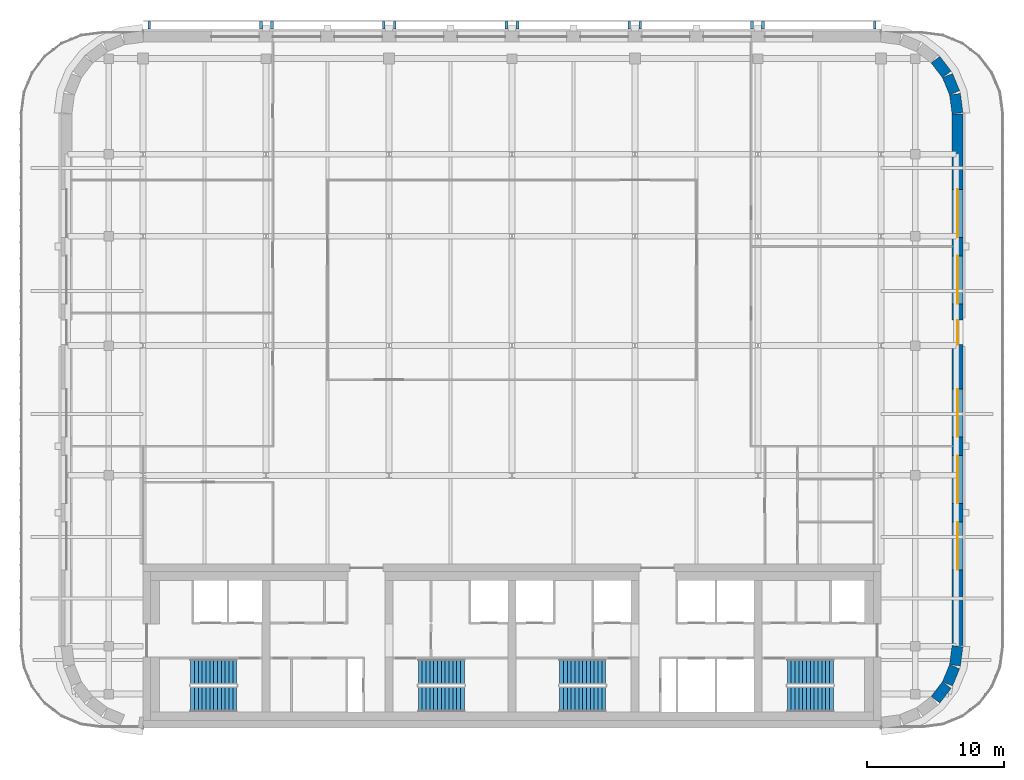
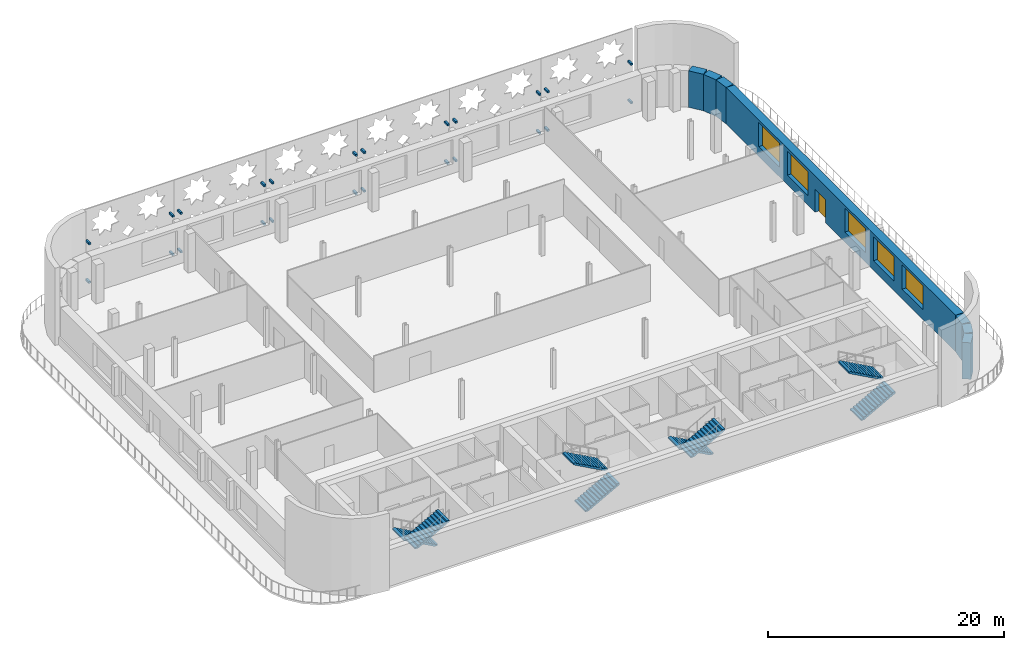
# One storey, part 11 of 15: 24 discrete accessories, 8 stair flights, 7 walls, 5 windows, 1 door, 6 openings, 4 elements without a shape of their own.
"""IFC4 building model written with IfcOpenShell, lengths in metres."""

from ifc_helpers import new_model, si_unit, direction, frame, frame_2d, origin, origin_2d, place, context, subcontext, project, spatial, polyline, rectangle, outline, extrude, material, layer, layer_set, type_object, element, fill, aggregate, save


model = new_model("IFC4")

# Units and contexts
model_context = context("Model", 3, precision=1e-05, world=origin(), true_north=direction((0.0, 1.0)))
body_context = subcontext(model_context, "Body", "Model", "MODEL_VIEW")
ifc_project = project(units=[si_unit("LENGTHUNIT", "METRE"), si_unit("AREAUNIT", "SQUARE_METRE"), si_unit("VOLUMEUNIT", "CUBIC_METRE"), si_unit("PLANEANGLEUNIT", "RADIAN"), si_unit("MASSUNIT", "GRAM", prefix="KILO")], contexts=[model_context])

# Site, building, storey
site_placement = place(None, origin())
site = spatial("IfcSite", under=ifc_project, at=site_placement, CompositionType="ELEMENT")
building_placement = place(site_placement, origin())
building = spatial("IfcBuilding", under=site, at=building_placement, Name="Zellij Exchange Tower", CompositionType="ELEMENT")
storey_placement = place(building_placement, frame((0.0, 0.0, 284.5)))
storey = spatial("IfcBuildingStorey", under=building, at=storey_placement, Name="L67", CompositionType="ELEMENT", Elevation=284.5)

# Walls
ifc_material_1 = material(Name="Precast concrete C40/50", Category="concrete")
ifc_layer = layer(ifc_material_1, 0.800048828125)
ifc_layer_set = layer_set([ifc_layer], Name="Precast concrete C40/50")
wall_type = type_object("IfcWallType", Name="ENV-EW1 Precast stone-piered wall 800", PredefinedType="SOLIDWALL", material=ifc_layer_set)
wall_1_placement = place(storey_placement, frame((30.9892578125, -11.91552734375, 0.0), z_axis=(0.0, 0.0, 1.0), x_axis=(0.608866226366, 0.793272915452, 0.0)))
element("IfcWall", 1, at=wall_1_placement, inside=storey, type_object=wall_type, Name="fac.L67.04", PredefinedType="SOLIDWALL", context=body_context, shape_type="SweptSolid", body=[
    extrude(rectangle(XDim=1.355712890625, YDim=0.800048828125, at=frame_2d((0.677734375, 0.0))), origin(), (0.0, 0.0, 1.0), 3.780029296875),
])
wall_2_placement = place(storey_placement, frame((31.866943359375, -10.74951171875, 0.0), z_axis=(0.0, 0.0, 1.0), x_axis=(0.38276009378, 0.923847774587, 0.0)))
element("IfcWall", 2, at=wall_2_placement, inside=storey, type_object=wall_type, Name="fac.L67.05", PredefinedType="SOLIDWALL", context=body_context, shape_type="SweptSolid", body=[
    extrude(rectangle(XDim=1.35546875, YDim=0.800048828125, at=frame_2d((0.677734375, 0.0))), origin(), (0.0, 0.0, 1.0), 3.780029296875),
])
wall_3_placement = place(storey_placement, frame((32.412841796875, -9.396240234375, 0.0), z_axis=(0.0, 0.0, 1.0), x_axis=(0.130517283865, 0.99144603414, 0.0)))
element("IfcWall", 3, at=wall_3_placement, inside=storey, type_object=wall_type, Name="fac.L67.06", PredefinedType="SOLIDWALL", context=body_context, shape_type="SweptSolid", body=[
    extrude(rectangle(XDim=1.408447265625, YDim=0.800048828125, at=frame_2d((0.7041015625, 0.0))), origin(), (0.0, 0.0, 1.0), 3.780029296875),
])

# Wall, openings, door, windows
wall_4_placement = place(storey_placement, frame((32.60009765625, -7.947509765625, 0.0), z_axis=(0.0, 0.0, 1.0), x_axis=(0.0, 1.0, 0.0)))
wall_4 = element("IfcWall", 4, at=wall_4_placement, inside=storey, type_object=wall_type, Name="fac.L67.07", PredefinedType="SOLIDWALL", context=body_context, shape_type="SweptSolid", body=[
    extrude(rectangle(XDim=38.89501953125, YDim=0.800048828125, at=frame_2d((19.447509765625, 0.0))), origin(), (0.0, 0.0, 1.0), 3.780029296875),
])
opening_1_placement = place(wall_4_placement, frame((5.5263671875, 0.0, 1.0)))
opening_1 = element("IfcOpeningElement", 5, at=opening_1_placement, cuts=wall_4, Name="Opening FC2.01", PredefinedType="OPENING", context=body_context, shape_type="SweptSolid", body=[
    extrude(rectangle(XDim=3.5, YDim=2.5, at=frame_2d((1.75, 1.25))), frame((0.0, 0.412109375, 0.0), z_axis=(0.0, -1.0, 0.0), x_axis=(1.0, 0.0, 0.0)), (0.0, 0.0, 1.0), 0.823974609375),
])
opening_2_placement = place(wall_4_placement, frame((10.39501953125, 0.0, 1.0)))
opening_2 = element("IfcOpeningElement", 6, at=opening_2_placement, cuts=wall_4, Name="Opening FC2.02", PredefinedType="OPENING", context=body_context, shape_type="SweptSolid", body=[
    extrude(rectangle(XDim=3.5, YDim=2.5, at=frame_2d((1.75, 1.25))), frame((0.0, 0.412109375, 0.0), z_axis=(0.0, -1.0, 0.0), x_axis=(1.0, 0.0, 0.0)), (0.0, 0.0, 1.0), 0.823974609375),
])
opening_3_placement = place(wall_4_placement, frame((15.26318359375, 0.0, 1.0)))
opening_3 = element("IfcOpeningElement", 7, at=opening_3_placement, cuts=wall_4, Name="Opening FC2.03", PredefinedType="OPENING", context=body_context, shape_type="SweptSolid", body=[
    extrude(rectangle(XDim=3.5, YDim=2.5, at=frame_2d((1.75, 1.25))), frame((0.0, 0.412109375, 0.0), z_axis=(0.0, -1.0, 0.0), x_axis=(1.0, 0.0, 0.0)), (0.0, 0.0, 1.0), 0.823974609375),
])
opening_4_placement = place(wall_4_placement, frame((25.000244140625, 0.0, 1.0)))
opening_4 = element("IfcOpeningElement", 8, at=opening_4_placement, cuts=wall_4, Name="Opening FC2.04", PredefinedType="OPENING", context=body_context, shape_type="SweptSolid", body=[
    extrude(rectangle(XDim=3.5, YDim=2.5, at=frame_2d((1.75, 1.25))), frame((0.0, 0.412109375, 0.0), z_axis=(0.0, -1.0, 0.0), x_axis=(1.0, 0.0, 0.0)), (0.0, 0.0, 1.0), 0.823974609375),
])
opening_5_placement = place(wall_4_placement, frame((29.86865234375, 0.0, 1.0)))
opening_5 = element("IfcOpeningElement", 9, at=opening_5_placement, cuts=wall_4, Name="Opening FC2.05", PredefinedType="OPENING", context=body_context, shape_type="SweptSolid", body=[
    extrude(rectangle(XDim=3.5, YDim=2.5, at=frame_2d((1.75, 1.25))), frame((0.0, 0.412109375, 0.0), z_axis=(0.0, -1.0, 0.0), x_axis=(1.0, 0.0, 0.0)), (0.0, 0.0, 1.0), 0.823974609375),
])
opening_6_placement = place(wall_4_placement, frame((22.01611328125, 0.0, 0.0)))
opening_6 = element("IfcOpeningElement", 10, at=opening_6_placement, cuts=wall_4, Name="Opening FC2.21", PredefinedType="OPENING", context=body_context, shape_type="SweptSolid", body=[
    extrude(rectangle(XDim=1.800048828125, YDim=2.39990234375, at=frame_2d((0.89990234375, 1.199951171875))), frame((0.0, 0.412109375, 0.0), z_axis=(0.0, -1.0, 0.0), x_axis=(1.0, 0.0, 0.0)), (0.0, 0.0, 1.0), 0.823974609375),
])
ifc_material_2 = material(Name="Aluminium and glass terrace door", Category="aluminium")
door_type = type_object("IfcDoorType", Name="ENV-ED5 Terrace door 1800x2400", OperationType="DOUBLE_DOOR_SINGLE_SWING", PredefinedType="DOOR", material=ifc_material_2)
door_placement = place(opening_6_placement, origin())
door = element("IfcDoor", 11, at=door_placement, inside=storey, type_object=door_type, Name="Terrace door FC2.21", OperationType="DOUBLE_DOOR_SINGLE_SWING", OverallHeight=2.39990234375, OverallWidth=1.800048828125, PredefinedType="DOOR", context=body_context, shape_type="SweptSolid", body=[
    extrude(rectangle(XDim=1.800048828125, YDim=2.39990234375, at=frame_2d((0.89990234375, 1.199951171875))), frame((0.0, 0.02490234375, 0.0), z_axis=(0.0, -1.0, 0.0), x_axis=(1.0, 0.0, 0.0)), (0.0, 0.0, 1.0), 0.050048828125),
])
fill(opening_6, door)
ifc_material_3 = material(Name="Aluminium frame with insulating glass", Category="aluminium")
window_type = type_object("IfcWindowType", Name="ENV-W1 Window 3500x2500", PartitioningType="SINGLE_PANEL", PredefinedType="WINDOW", material=ifc_material_3)
window_1_placement = place(opening_1_placement, origin())
window_1 = element("IfcWindow", 12, at=window_1_placement, inside=storey, type_object=window_type, Name="Window FC2.01", OverallHeight=2.5, OverallWidth=3.5, PartitioningType="SINGLE_PANEL", PredefinedType="WINDOW", context=body_context, shape_type="SweptSolid", body=[
    extrude(rectangle(XDim=3.5, YDim=2.5, at=frame_2d((1.75, 1.25))), frame((0.0, 0.030029296875, 0.0), z_axis=(0.0, -1.0, 0.0), x_axis=(1.0, 0.0, 0.0)), (0.0, 0.0, 1.0), 0.06005859375),
])
fill(opening_1, window_1)
window_2_placement = place(opening_2_placement, origin())
window_2 = element("IfcWindow", 13, at=window_2_placement, inside=storey, type_object=window_type, Name="Window FC2.02", OverallHeight=2.5, OverallWidth=3.5, PartitioningType="SINGLE_PANEL", PredefinedType="WINDOW", context=body_context, shape_type="SweptSolid", body=[
    extrude(rectangle(XDim=3.5, YDim=2.5, at=frame_2d((1.75, 1.25))), frame((0.0, 0.030029296875, 0.0), z_axis=(0.0, -1.0, 0.0), x_axis=(1.0, 0.0, 0.0)), (0.0, 0.0, 1.0), 0.06005859375),
])
fill(opening_2, window_2)
window_3_placement = place(opening_3_placement, origin())
window_3 = element("IfcWindow", 14, at=window_3_placement, inside=storey, type_object=window_type, Name="Window FC2.03", OverallHeight=2.5, OverallWidth=3.5, PartitioningType="SINGLE_PANEL", PredefinedType="WINDOW", context=body_context, shape_type="SweptSolid", body=[
    extrude(rectangle(XDim=3.5, YDim=2.5, at=frame_2d((1.75, 1.25))), frame((0.0, 0.030029296875, 0.0), z_axis=(0.0, -1.0, 0.0), x_axis=(1.0, 0.0, 0.0)), (0.0, 0.0, 1.0), 0.06005859375),
])
fill(opening_3, window_3)
window_4_placement = place(opening_4_placement, origin())
window_4 = element("IfcWindow", 15, at=window_4_placement, inside=storey, type_object=window_type, Name="Window FC2.04", OverallHeight=2.5, OverallWidth=3.5, PartitioningType="SINGLE_PANEL", PredefinedType="WINDOW", context=body_context, shape_type="SweptSolid", body=[
    extrude(rectangle(XDim=3.5, YDim=2.5, at=frame_2d((1.75, 1.25))), frame((0.0, 0.030029296875, 0.0), z_axis=(0.0, -1.0, 0.0), x_axis=(1.0, 0.0, 0.0)), (0.0, 0.0, 1.0), 0.06005859375),
])
fill(opening_4, window_4)
window_5_placement = place(opening_5_placement, origin())
window_5 = element("IfcWindow", 16, at=window_5_placement, inside=storey, type_object=window_type, Name="Window FC2.05", OverallHeight=2.5, OverallWidth=3.5, PartitioningType="SINGLE_PANEL", PredefinedType="WINDOW", context=body_context, shape_type="SweptSolid", body=[
    extrude(rectangle(XDim=3.5, YDim=2.5, at=frame_2d((1.75, 1.25))), frame((0.0, 0.030029296875, 0.0), z_axis=(0.0, -1.0, 0.0), x_axis=(1.0, 0.0, 0.0)), (0.0, 0.0, 1.0), 0.06005859375),
])
fill(opening_5, window_5)

# Walls
wall_5_placement = place(storey_placement, frame((32.5966796875, 30.999755859375, 0.0), z_axis=(0.0, 0.0, 1.0), x_axis=(-0.130517283865, 0.99144603414, 0.0)))
element("IfcWall", 17, at=wall_5_placement, inside=storey, type_object=wall_type, Name="fac.L67.08", PredefinedType="SOLIDWALL", context=body_context, shape_type="SweptSolid", body=[
    extrude(rectangle(XDim=1.408447265625, YDim=0.800048828125, at=frame_2d((0.7041015625, 0.0))), origin(), (0.0, 0.0, 1.0), 3.780029296875),
])
wall_6_placement = place(storey_placement, frame((32.3857421875, 32.497314453125, 0.0), z_axis=(0.0, 0.0, 1.0), x_axis=(-0.38276009378, 0.923847774587, 0.0)))
element("IfcWall", 18, at=wall_6_placement, inside=storey, type_object=wall_type, Name="fac.L67.09", PredefinedType="SOLIDWALL", context=body_context, shape_type="SweptSolid", body=[
    extrude(rectangle(XDim=1.35546875, YDim=0.800048828125, at=frame_2d((0.677734375, 0.0))), origin(), (0.0, 0.0, 1.0), 3.780029296875),
])
wall_7_placement = place(storey_placement, frame((31.814697265625, 33.840087890625, 0.0), z_axis=(0.0, 0.0, 1.0), x_axis=(-0.608866226366, 0.793272915452, 0.0)))
element("IfcWall", 19, at=wall_7_placement, inside=storey, type_object=wall_type, Name="fac.L67.10", PredefinedType="SOLIDWALL", context=body_context, shape_type="SweptSolid", body=[
    extrude(rectangle(XDim=1.355712890625, YDim=0.800048828125, at=frame_2d((0.677734375, 0.0))), origin(), (0.0, 0.0, 1.0), 3.780029296875),
])

# Stair, stair flights
ifc_material_4 = material(Name="Concrete C40/50", Category="concrete")
stair_type = type_object("IfcStairType", Name="CORE-ST exit stair 1850 wide", PredefinedType="HALF_TURN_STAIR", material=ifc_material_4)
stair_1_placement = place(storey_placement, origin())
stair_1 = element("IfcStair", 20, at=stair_1_placement, inside=storey, type_object=stair_type, Name="L67 exit stair ST1", PredefinedType="HALF_TURN_STAIR")
stair_flight_type = type_object("IfcStairFlightType", Name="CORE-SF flight 1850 riser 153.8 going 280", PredefinedType="STRAIGHT", material=ifc_material_4)
stair_flight_1_placement = place(storey_placement, frame((-20.14990234375, -9.875, 0.0), z_axis=(0.0, 0.0, 1.0), x_axis=(-1.0, 0.0, 0.0)))
stair_flight_1 = element("IfcStairFlight", 21, at=stair_flight_1_placement, type_object=stair_flight_type, Name="ST1 flight 1", NumberOfRisers=13, NumberOfTreads=12, PredefinedType="STRAIGHT", RiserHeight=0.153846154, TreadLength=0.28, context=body_context, shape_type="SweptSolid", body=[
    extrude(outline(polyline([(0.0, 0.0), (0.0, 0.15380859375), (0.280029296875, 0.15380859375), (0.280029296875, 0.3076171875), (0.56005859375, 0.3076171875), (0.56005859375, 0.46142578125), (0.840087890625, 0.46142578125), (0.840087890625, 0.615478515625), (1.1201171875, 0.615478515625), (1.1201171875, 0.769287109375), (1.39990234375, 0.769287109375), (1.39990234375, 0.923095703125), (1.679931640625, 0.923095703125), (1.679931640625, 1.076904296875), (1.9599609375, 1.076904296875), (1.9599609375, 1.230712890625), (2.239990234375, 1.230712890625), (2.239990234375, 1.384521484375), (2.52001953125, 1.384521484375), (2.52001953125, 1.53857421875), (2.800048828125, 1.53857421875), (2.800048828125, 1.6923828125), (3.080078125, 1.6923828125), (3.080078125, 1.84619140625), (3.360107421875, 1.84619140625), (3.360107421875, 2.0), (3.360107421875, 1.675048828125), (0.311279296875, 0.0), (0.0, 0.0)])), frame((0.0, 0.925048828125, 0.0), z_axis=(0.0, -1.0, 0.0), x_axis=(1.0, 0.0, 0.0)), (0.0, 0.0, 1.0), 1.85009765625),
])
stair_flight_2_placement = place(storey_placement, frame((-23.510009765625, -11.875, 2.0), z_axis=(0.0, 0.0, 1.0), x_axis=(1.0, 0.0, 0.0)))
stair_flight_2 = element("IfcStairFlight", 22, at=stair_flight_2_placement, type_object=stair_flight_type, Name="ST1 flight 2", NumberOfRisers=13, NumberOfTreads=12, PredefinedType="STRAIGHT", RiserHeight=0.153846154, TreadLength=0.28, context=body_context, shape_type="SweptSolid", body=[
    extrude(outline(polyline([(0.0, 0.0), (0.0, 0.15380859375), (0.280029296875, 0.15380859375), (0.280029296875, 0.3076171875), (0.56005859375, 0.3076171875), (0.56005859375, 0.46142578125), (0.840087890625, 0.46142578125), (0.840087890625, 0.615478515625), (1.1201171875, 0.615478515625), (1.1201171875, 0.769287109375), (1.39990234375, 0.769287109375), (1.39990234375, 0.923095703125), (1.679931640625, 0.923095703125), (1.679931640625, 1.076904296875), (1.9599609375, 1.076904296875), (1.9599609375, 1.230712890625), (2.239990234375, 1.230712890625), (2.239990234375, 1.384521484375), (2.52001953125, 1.384521484375), (2.52001953125, 1.53857421875), (2.800048828125, 1.53857421875), (2.800048828125, 1.6923828125), (3.080078125, 1.6923828125), (3.080078125, 1.84619140625), (3.360107421875, 1.84619140625), (3.360107421875, 2.0), (3.360107421875, 1.675048828125), (0.311279296875, 0.0), (0.0, 0.0)])), frame((0.0, 0.925048828125, 0.0), z_axis=(0.0, -1.0, 0.0), x_axis=(1.0, 0.0, 0.0)), (0.0, 0.0, 1.0), 1.85009765625),
])
aggregate(stair_1, [stair_flight_1, stair_flight_2])

stair_2_placement = place(storey_placement, origin())
stair_2 = element("IfcStair", 23, at=stair_2_placement, inside=storey, type_object=stair_type, Name="L67 exit stair ST2", PredefinedType="HALF_TURN_STAIR")
stair_flight_3_placement = place(storey_placement, frame((-6.85009765625, -11.875, 0.0), z_axis=(0.0, 0.0, 1.0), x_axis=(1.0, 0.0, 0.0)))
stair_flight_3 = element("IfcStairFlight", 24, at=stair_flight_3_placement, type_object=stair_flight_type, Name="ST2 flight 1", NumberOfRisers=13, NumberOfTreads=12, PredefinedType="STRAIGHT", RiserHeight=0.153846154, TreadLength=0.28, context=body_context, shape_type="SweptSolid", body=[
    extrude(outline(polyline([(0.0, 0.0), (0.0, 0.15380859375), (0.280029296875, 0.15380859375), (0.280029296875, 0.3076171875), (0.56005859375, 0.3076171875), (0.56005859375, 0.46142578125), (0.840087890625, 0.46142578125), (0.840087890625, 0.615478515625), (1.1201171875, 0.615478515625), (1.1201171875, 0.769287109375), (1.39990234375, 0.769287109375), (1.39990234375, 0.923095703125), (1.679931640625, 0.923095703125), (1.679931640625, 1.076904296875), (1.9599609375, 1.076904296875), (1.9599609375, 1.230712890625), (2.239990234375, 1.230712890625), (2.239990234375, 1.384521484375), (2.52001953125, 1.384521484375), (2.52001953125, 1.53857421875), (2.800048828125, 1.53857421875), (2.800048828125, 1.6923828125), (3.080078125, 1.6923828125), (3.080078125, 1.84619140625), (3.360107421875, 1.84619140625), (3.360107421875, 2.0), (3.360107421875, 1.675048828125), (0.311279296875, 0.0), (0.0, 0.0)])), frame((0.0, 0.925048828125, 0.0), z_axis=(0.0, -1.0, 0.0), x_axis=(1.0, 0.0, 0.0)), (0.0, 0.0, 1.0), 1.85009765625),
])
stair_flight_4_placement = place(storey_placement, frame((-3.489990234375, -9.875, 2.0), z_axis=(0.0, 0.0, 1.0), x_axis=(-1.0, 0.0, 0.0)))
stair_flight_4 = element("IfcStairFlight", 25, at=stair_flight_4_placement, type_object=stair_flight_type, Name="ST2 flight 2", NumberOfRisers=13, NumberOfTreads=12, PredefinedType="STRAIGHT", RiserHeight=0.153846154, TreadLength=0.28, context=body_context, shape_type="SweptSolid", body=[
    extrude(outline(polyline([(0.0, 0.0), (0.0, 0.15380859375), (0.280029296875, 0.15380859375), (0.280029296875, 0.3076171875), (0.56005859375, 0.3076171875), (0.56005859375, 0.46142578125), (0.840087890625, 0.46142578125), (0.840087890625, 0.615478515625), (1.1201171875, 0.615478515625), (1.1201171875, 0.769287109375), (1.39990234375, 0.769287109375), (1.39990234375, 0.923095703125), (1.679931640625, 0.923095703125), (1.679931640625, 1.076904296875), (1.9599609375, 1.076904296875), (1.9599609375, 1.230712890625), (2.239990234375, 1.230712890625), (2.239990234375, 1.384521484375), (2.52001953125, 1.384521484375), (2.52001953125, 1.53857421875), (2.800048828125, 1.53857421875), (2.800048828125, 1.6923828125), (3.080078125, 1.6923828125), (3.080078125, 1.84619140625), (3.360107421875, 1.84619140625), (3.360107421875, 2.0), (3.360107421875, 1.675048828125), (0.311279296875, 0.0), (0.0, 0.0)])), frame((0.0, 0.925048828125, 0.0), z_axis=(0.0, -1.0, 0.0), x_axis=(1.0, 0.0, 0.0)), (0.0, 0.0, 1.0), 1.85009765625),
])
aggregate(stair_2, [stair_flight_3, stair_flight_4])

stair_3_placement = place(storey_placement, origin())
stair_3 = element("IfcStair", 26, at=stair_3_placement, inside=storey, type_object=stair_type, Name="L67 exit stair ST3", PredefinedType="HALF_TURN_STAIR")
stair_flight_5_placement = place(storey_placement, frame((6.85009765625, -9.875, 0.0), z_axis=(0.0, 0.0, 1.0), x_axis=(-1.0, 0.0, 0.0)))
stair_flight_5 = element("IfcStairFlight", 27, at=stair_flight_5_placement, type_object=stair_flight_type, Name="ST3 flight 1", NumberOfRisers=13, NumberOfTreads=12, PredefinedType="STRAIGHT", RiserHeight=0.153846154, TreadLength=0.28, context=body_context, shape_type="SweptSolid", body=[
    extrude(outline(polyline([(0.0, 0.0), (0.0, 0.15380859375), (0.280029296875, 0.15380859375), (0.280029296875, 0.3076171875), (0.56005859375, 0.3076171875), (0.56005859375, 0.46142578125), (0.840087890625, 0.46142578125), (0.840087890625, 0.615478515625), (1.1201171875, 0.615478515625), (1.1201171875, 0.769287109375), (1.39990234375, 0.769287109375), (1.39990234375, 0.923095703125), (1.679931640625, 0.923095703125), (1.679931640625, 1.076904296875), (1.9599609375, 1.076904296875), (1.9599609375, 1.230712890625), (2.239990234375, 1.230712890625), (2.239990234375, 1.384521484375), (2.52001953125, 1.384521484375), (2.52001953125, 1.53857421875), (2.800048828125, 1.53857421875), (2.800048828125, 1.6923828125), (3.080078125, 1.6923828125), (3.080078125, 1.84619140625), (3.360107421875, 1.84619140625), (3.360107421875, 2.0), (3.360107421875, 1.675048828125), (0.311279296875, 0.0), (0.0, 0.0)])), frame((0.0, 0.925048828125, 0.0), z_axis=(0.0, -1.0, 0.0), x_axis=(1.0, 0.0, 0.0)), (0.0, 0.0, 1.0), 1.85009765625),
])
stair_flight_6_placement = place(storey_placement, frame((3.489990234375, -11.875, 2.0), z_axis=(0.0, 0.0, 1.0), x_axis=(1.0, 0.0, 0.0)))
stair_flight_6 = element("IfcStairFlight", 28, at=stair_flight_6_placement, type_object=stair_flight_type, Name="ST3 flight 2", NumberOfRisers=13, NumberOfTreads=12, PredefinedType="STRAIGHT", RiserHeight=0.153846154, TreadLength=0.28, context=body_context, shape_type="SweptSolid", body=[
    extrude(outline(polyline([(0.0, 0.0), (0.0, 0.15380859375), (0.280029296875, 0.15380859375), (0.280029296875, 0.3076171875), (0.56005859375, 0.3076171875), (0.56005859375, 0.46142578125), (0.840087890625, 0.46142578125), (0.840087890625, 0.615478515625), (1.1201171875, 0.615478515625), (1.1201171875, 0.769287109375), (1.39990234375, 0.769287109375), (1.39990234375, 0.923095703125), (1.679931640625, 0.923095703125), (1.679931640625, 1.076904296875), (1.9599609375, 1.076904296875), (1.9599609375, 1.230712890625), (2.239990234375, 1.230712890625), (2.239990234375, 1.384521484375), (2.52001953125, 1.384521484375), (2.52001953125, 1.53857421875), (2.800048828125, 1.53857421875), (2.800048828125, 1.6923828125), (3.080078125, 1.6923828125), (3.080078125, 1.84619140625), (3.360107421875, 1.84619140625), (3.360107421875, 2.0), (3.360107421875, 1.675048828125), (0.311279296875, 0.0), (0.0, 0.0)])), frame((0.0, 0.925048828125, 0.0), z_axis=(0.0, -1.0, 0.0), x_axis=(1.0, 0.0, 0.0)), (0.0, 0.0, 1.0), 1.85009765625),
])
aggregate(stair_3, [stair_flight_5, stair_flight_6])

stair_4_placement = place(storey_placement, origin())
stair_4 = element("IfcStair", 29, at=stair_4_placement, inside=storey, type_object=stair_type, Name="L67 exit stair ST4", PredefinedType="HALF_TURN_STAIR")
stair_flight_7_placement = place(storey_placement, frame((20.14990234375, -11.875, 0.0), z_axis=(0.0, 0.0, 1.0), x_axis=(1.0, 0.0, 0.0)))
stair_flight_7 = element("IfcStairFlight", 30, at=stair_flight_7_placement, type_object=stair_flight_type, Name="ST4 flight 1", NumberOfRisers=13, NumberOfTreads=12, PredefinedType="STRAIGHT", RiserHeight=0.153846154, TreadLength=0.28, context=body_context, shape_type="SweptSolid", body=[
    extrude(outline(polyline([(0.0, 0.0), (0.0, 0.15380859375), (0.280029296875, 0.15380859375), (0.280029296875, 0.3076171875), (0.56005859375, 0.3076171875), (0.56005859375, 0.46142578125), (0.840087890625, 0.46142578125), (0.840087890625, 0.615478515625), (1.1201171875, 0.615478515625), (1.1201171875, 0.769287109375), (1.39990234375, 0.769287109375), (1.39990234375, 0.923095703125), (1.679931640625, 0.923095703125), (1.679931640625, 1.076904296875), (1.9599609375, 1.076904296875), (1.9599609375, 1.230712890625), (2.239990234375, 1.230712890625), (2.239990234375, 1.384521484375), (2.52001953125, 1.384521484375), (2.52001953125, 1.53857421875), (2.800048828125, 1.53857421875), (2.800048828125, 1.6923828125), (3.080078125, 1.6923828125), (3.080078125, 1.84619140625), (3.360107421875, 1.84619140625), (3.360107421875, 2.0), (3.360107421875, 1.675048828125), (0.311279296875, 0.0), (0.0, 0.0)])), frame((0.0, 0.925048828125, 0.0), z_axis=(0.0, -1.0, 0.0), x_axis=(1.0, 0.0, 0.0)), (0.0, 0.0, 1.0), 1.85009765625),
])
stair_flight_8_placement = place(storey_placement, frame((23.510009765625, -9.875, 2.0), z_axis=(0.0, 0.0, 1.0), x_axis=(-1.0, 0.0, 0.0)))
stair_flight_8 = element("IfcStairFlight", 31, at=stair_flight_8_placement, type_object=stair_flight_type, Name="ST4 flight 2", NumberOfRisers=13, NumberOfTreads=12, PredefinedType="STRAIGHT", RiserHeight=0.153846154, TreadLength=0.28, context=body_context, shape_type="SweptSolid", body=[
    extrude(outline(polyline([(0.0, 0.0), (0.0, 0.15380859375), (0.280029296875, 0.15380859375), (0.280029296875, 0.3076171875), (0.56005859375, 0.3076171875), (0.56005859375, 0.46142578125), (0.840087890625, 0.46142578125), (0.840087890625, 0.615478515625), (1.1201171875, 0.615478515625), (1.1201171875, 0.769287109375), (1.39990234375, 0.769287109375), (1.39990234375, 0.923095703125), (1.679931640625, 0.923095703125), (1.679931640625, 1.076904296875), (1.9599609375, 1.076904296875), (1.9599609375, 1.230712890625), (2.239990234375, 1.230712890625), (2.239990234375, 1.384521484375), (2.52001953125, 1.384521484375), (2.52001953125, 1.53857421875), (2.800048828125, 1.53857421875), (2.800048828125, 1.6923828125), (3.080078125, 1.6923828125), (3.080078125, 1.84619140625), (3.360107421875, 1.84619140625), (3.360107421875, 2.0), (3.360107421875, 1.675048828125), (0.311279296875, 0.0), (0.0, 0.0)])), frame((0.0, 0.925048828125, 0.0), z_axis=(0.0, -1.0, 0.0), x_axis=(1.0, 0.0, 0.0)), (0.0, 0.0, 1.0), 1.85009765625),
])
aggregate(stair_4, [stair_flight_7, stair_flight_8])

# Discrete accessories
ifc_material_5 = material(Name="Stainless steel", Category="steel")
discrete_accessory_type = type_object("IfcDiscreteAccessoryType", Name="ENV-BR1 Stone panel bracket 200", PredefinedType="USERDEFINED", material=ifc_material_5)
for number, where, z_axis, x_axis, name in (
    (32, (26.547607421875, 37.425048828125, 0.2998046875), (0.0, 0.0, 1.0), (-1.0, 0.0, 0.0), "Panel bracket"),
    (33, (18.364990234375, 37.425048828125, 0.2998046875), (0.0, 0.0, 1.0), (-1.0, 0.0, 0.0), "Panel bracket"),
    (34, (26.547607421875, 37.425048828125, 4.2998046875), (0.0, 0.0, 1.0), (-1.0, 0.0, 0.0), "Panel bracket"),
    (35, (18.364990234375, 37.425048828125, 4.2998046875), (0.0, 0.0, 1.0), (-1.0, 0.0, 0.0), "Panel bracket"),
    (36, (17.565185546875, 37.425048828125, 0.2998046875), (0.0, 0.0, 1.0), (-1.0, 0.0, 0.0), "Panel bracket"),
    (37, (9.382568359375, 37.425048828125, 0.2998046875), (0.0, 0.0, 1.0), (-1.0, 0.0, 0.0), "Panel bracket"),
    (38, (17.565185546875, 37.425048828125, 4.2998046875), (0.0, 0.0, 1.0), (-1.0, 0.0, 0.0), "Panel bracket"),
    (39, (9.382568359375, 37.425048828125, 4.2998046875), (0.0, 0.0, 1.0), (-1.0, 0.0, 0.0), "Panel bracket"),
    (40, (8.58251953125, 37.425048828125, 0.2998046875), (0.0, 0.0, 1.0), (-1.0, 0.0, 0.0), "Panel bracket"),
    (41, (0.39990234375, 37.425048828125, 0.2998046875), (0.0, 0.0, 1.0), (-1.0, 0.0, 0.0), "Panel bracket"),
    (42, (8.58251953125, 37.425048828125, 4.2998046875), (0.0, 0.0, 1.0), (-1.0, 0.0, 0.0), "Panel bracket"),
    (43, (0.39990234375, 37.425048828125, 4.2998046875), (0.0, 0.0, 1.0), (-1.0, 0.0, 0.0), "Panel bracket"),
    (44, (-0.39990234375, 37.425048828125, 0.2998046875), (0.0, 0.0, 1.0), (-1.0, 0.0, 0.0), "Panel bracket"),
    (45, (-8.58251953125, 37.425048828125, 0.2998046875), (0.0, 0.0, 1.0), (-1.0, 0.0, 0.0), "Panel bracket"),
    (46, (-0.39990234375, 37.425048828125, 4.2998046875), (0.0, 0.0, 1.0), (-1.0, 0.0, 0.0), "Panel bracket"),
    (47, (-8.58251953125, 37.425048828125, 4.2998046875), (0.0, 0.0, 1.0), (-1.0, 0.0, 0.0), "Panel bracket"),
    (48, (-9.382568359375, 37.425048828125, 0.2998046875), (0.0, 0.0, 1.0), (-1.0, 0.0, 0.0), "Panel bracket"),
    (49, (-17.565185546875, 37.425048828125, 0.2998046875), (0.0, 0.0, 1.0), (-1.0, 0.0, 0.0), "Panel bracket"),
    (50, (-9.382568359375, 37.425048828125, 4.2998046875), (0.0, 0.0, 1.0), (-1.0, 0.0, 0.0), "Panel bracket"),
    (51, (-17.565185546875, 37.425048828125, 4.2998046875), (0.0, 0.0, 1.0), (-1.0, 0.0, 0.0), "Panel bracket"),
    (52, (-18.364990234375, 37.425048828125, 0.2998046875), (0.0, 0.0, 1.0), (-1.0, 0.0, 0.0), "Panel bracket"),
    (53, (-26.547607421875, 37.425048828125, 0.2998046875), (0.0, 0.0, 1.0), (-1.0, 0.0, 0.0), "Panel bracket"),
    (54, (-18.364990234375, 37.425048828125, 4.2998046875), (0.0, 0.0, 1.0), (-1.0, 0.0, 0.0), "Panel bracket"),
    (55, (-26.547607421875, 37.425048828125, 4.2998046875), (0.0, 0.0, 1.0), (-1.0, 0.0, 0.0), "Panel bracket"),
):
    element("IfcDiscreteAccessory", number, at=place(storey_placement, frame(where, z_axis=z_axis, x_axis=x_axis)), inside=storey, type_object=discrete_accessory_type, Name=name, ObjectType="BRACKET", PredefinedType="USERDEFINED", context=body_context, shape_type="SweptSolid", body=[
        extrude(rectangle(XDim=0.199951171875, YDim=0.550048828125, at=origin_2d()), origin(), (0.0, 0.0, 1.0), 0.199951171875),
    ])

save(model, "model.ifc")
